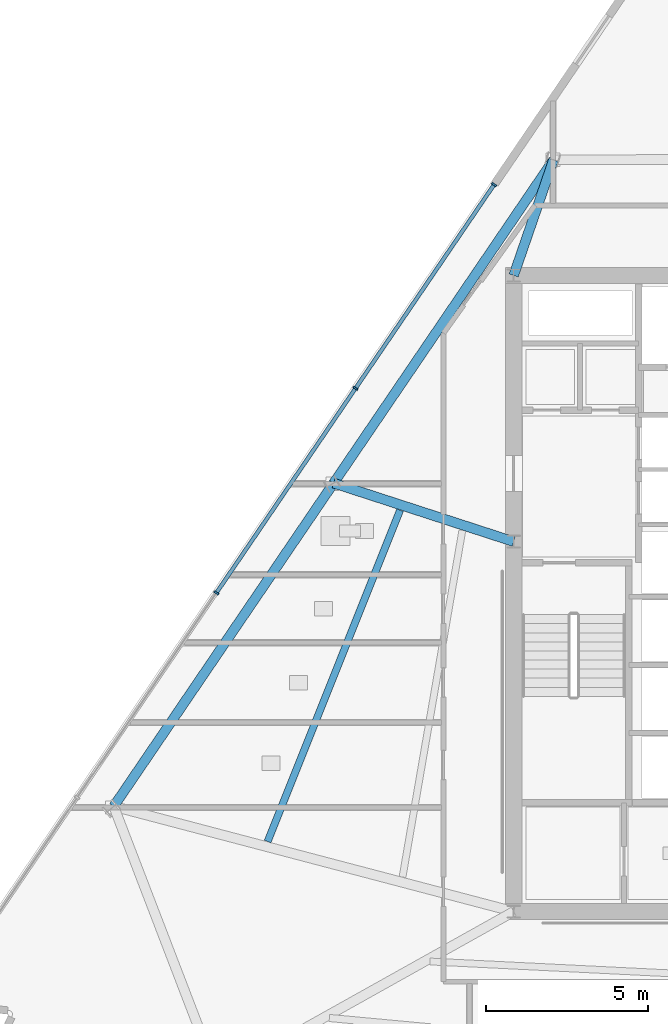
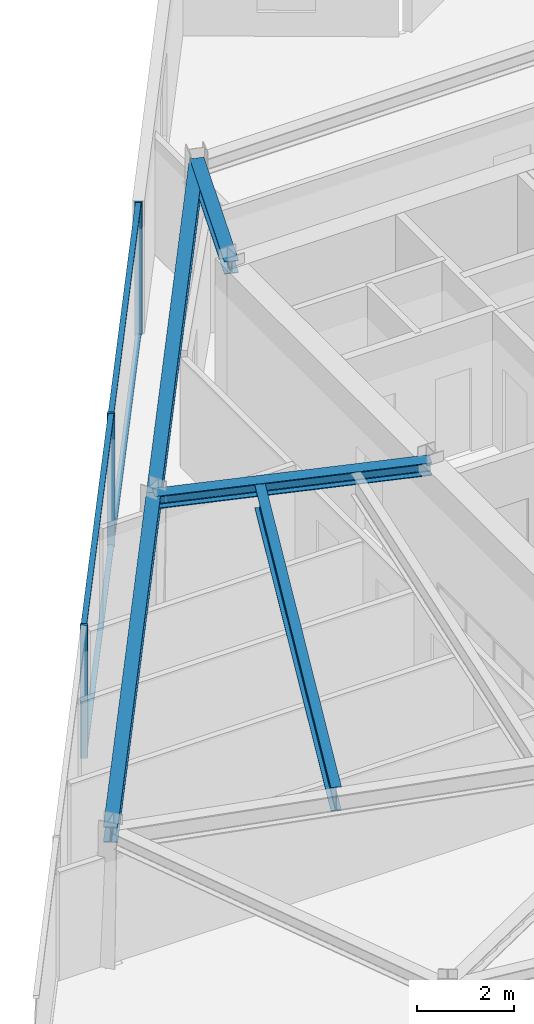
# One storey, part 4 of 15: 7 members, 5 beams, 1 element without a shape of its own.
"""IFC4 building model written with IfcOpenShell, lengths in metres."""

from ifc_helpers import new_model, si_unit, direction, frame, origin, origin_2d, place, context, subcontext, project, spatial, rectangle, i_section, extrude, material, material_profile, profile_set, type_object, element, aggregate, save


model = new_model("IFC4")

# Units and contexts
model_context = context("Model", 3, precision=1e-05, world=origin(), true_north=direction((0.0, 1.0)))
body_context = subcontext(model_context, "Body", "Model", "MODEL_VIEW")
ifc_project = project(units=[si_unit("LENGTHUNIT", "METRE"), si_unit("AREAUNIT", "SQUARE_METRE"), si_unit("VOLUMEUNIT", "CUBIC_METRE"), si_unit("PLANEANGLEUNIT", "RADIAN"), si_unit("MASSUNIT", "GRAM", prefix="KILO")], contexts=[model_context])

# Site, building, storey
site_placement = place(None, origin())
site = spatial("IfcSite", under=ifc_project, at=site_placement, CompositionType="ELEMENT")
building_placement = place(site_placement, origin())
building = spatial("IfcBuilding", under=site, at=building_placement, Name="Savorim Split Tower", CompositionType="ELEMENT")
storey_placement = place(building_placement, frame((0.0, 0.0, 201.89990234375)))
storey = spatial("IfcBuildingStorey", under=building, at=storey_placement, Name="L53", CompositionType="ELEMENT", Elevation=201.89990234375)

# Beams
ifc_material_1 = material(Name="Steel S355", Category="steel")
ifc_material_profile_1 = material_profile(ifc_material_1, i_section(OverallWidth=0.219970703125, OverallDepth=0.60009765625, WebThickness=0.011962890625, FlangeThickness=0.01904296875, FilletRadius=0.02392578125, at=origin_2d()), Name="IPE 600")
ifc_profile_set_1 = profile_set([ifc_material_profile_1], Name="Steel S355")
beam_type_1 = type_object("IfcBeamType", Name="BM-JST-IPE600", PredefinedType="JOIST", material=ifc_profile_set_1)
beam_1_placement = place(storey_placement, frame((-11.198486328125, 2.96875, 3.050048828125), z_axis=(-0.371229892289, -0.928540988363, 0.0), x_axis=(0.928540988363, -0.371229892289, 0.0)))
element("IfcBeam", 1, at=beam_1_placement, inside=storey, type_object=beam_type_1, Name="L53 Secondary Floor Joist JS-10", PredefinedType="JOIST", context=body_context, shape_type="SweptSolid", body=[
    extrude(i_section(OverallWidth=0.219970703125, OverallDepth=0.60009765625, WebThickness=0.011962890625, FlangeThickness=0.01904296875, FilletRadius=0.02392578125, at=origin_2d()), origin(), (0.0, 0.0, 1.0), 10.995849609375),
])
ifc_material_profile_2 = material_profile(ifc_material_1, i_section(OverallWidth=0.300048828125, OverallDepth=0.320068359375, WebThickness=0.011474609375, FlangeThickness=0.0205078125, FilletRadius=0.027099609375, at=origin_2d()), Name="HEB 320")
ifc_profile_set_2 = profile_set([ifc_material_profile_2], Name="Steel S355")
beam_type_2 = type_object("IfcBeamType", Name="BM-PRI-HEB320", PredefinedType="BEAM", material=ifc_profile_set_2)
beam_2_placement = place(storey_placement, frame((-6.47119140625, 13.76220703125, 3.190185546875), z_axis=(-0.326084526358, -0.945340616746, 0.0), x_axis=(0.945340616746, -0.326084526358, 0.0)))
element("IfcBeam", 2, at=beam_2_placement, inside=storey, type_object=beam_type_2, Name="L53 Primary Floor Girder RG-08", PredefinedType="BEAM", context=body_context, shape_type="SweptSolid", body=[
    extrude(i_section(OverallWidth=0.300048828125, OverallDepth=0.320068359375, WebThickness=0.011474609375, FlangeThickness=0.0205078125, FilletRadius=0.027099609375, at=origin_2d()), origin(), (0.0, 0.0, 1.0), 3.768310546875),
])
beam_3_placement = place(storey_placement, frame((-13.246826171875, 3.802001953125, 3.190185546875), z_axis=(0.95107097682, -0.308972485912, 0.0), x_axis=(0.308972485912, 0.95107097682, 0.0)))
element("IfcBeam", 3, at=beam_3_placement, inside=storey, type_object=beam_type_2, Name="L53 Primary Floor Girder RG-09", PredefinedType="BEAM", context=body_context, shape_type="SweptSolid", body=[
    extrude(i_section(OverallWidth=0.300048828125, OverallDepth=0.320068359375, WebThickness=0.011474609375, FlangeThickness=0.0205078125, FilletRadius=0.027099609375, at=origin_2d()), origin(), (0.0, 0.0, 1.0), 5.832275390625),
])
ifc_material_profile_3 = material_profile(ifc_material_1, i_section(OverallWidth=0.300048828125, OverallDepth=0.389892578125, WebThickness=0.010986328125, FlangeThickness=0.01904296875, FilletRadius=0.027099609375, at=origin_2d()), Name="HEA 400")
ifc_profile_set_3 = profile_set([ifc_material_profile_3], Name="Steel S355")
beam_type_3 = type_object("IfcBeamType", Name="BM-SPN-HEA400", PredefinedType="SPANDREL", material=ifc_profile_set_3)
for number, where, z_axis, x_axis, name in (
    (4, (-6.47119140625, 13.76220703125, 3.155029296875), (-0.562463010196, -0.826822448995, 0.0), (0.826822448995, -0.562463010196, 0.0), "L53 Perimeter Spandrel Beam 8"),
    (5, (-13.246826171875, 3.802001953125, 3.155029296875), (-0.562486290355, -0.826806611707, 0.0), (0.826806611707, -0.562486290355, 0.0), "L53 Perimeter Spandrel Beam 9"),
):
    element("IfcBeam", number, at=place(storey_placement, frame(where, z_axis=z_axis, x_axis=x_axis)), inside=storey, type_object=beam_type_3, Name=name, PredefinedType="SPANDREL", context=body_context, shape_type="SweptSolid", body=[
        extrude(i_section(OverallWidth=0.300048828125, OverallDepth=0.389892578125, WebThickness=0.010986328125, FlangeThickness=0.01904296875, FilletRadius=0.027099609375, at=origin_2d()), origin(), (0.0, 0.0, 1.0), 12.04638671875),
    ])

# Curtain wall, members
ifc_material_2 = material(Name="Dark Ceramic-Fritted Insulated Glass", Category="glass")
curtain_wall_type = type_object("IfcCurtainWallType", Name="CW-TWR-FRIT-B", PredefinedType="NOTDEFINED", material=ifc_material_2)
curtain_wall_placement = place(storey_placement, origin())
curtain_wall = element("IfcCurtainWall", 6, at=curtain_wall_placement, inside=storey, type_object=curtain_wall_type, Name="L53 Curtain Wall CW-L53-WEST", PredefinedType="NOTDEFINED")
ifc_material_3 = material(Name="Charcoal Anodised Aluminium", Category="aluminium")
ifc_material_profile_4 = material_profile(ifc_material_3, rectangle(XDim=0.159912109375, YDim=0.06005859375, at=origin_2d()), Name="ALU-M 160x60")
ifc_profile_set_4 = profile_set([ifc_material_profile_4], Name="Charcoal Anodised Aluminium")
member_type_1 = type_object("IfcMemberType", Name="CWM-160x60", PredefinedType="MULLION", material=ifc_profile_set_4)
member_1_placement = place(storey_placement, frame((-8.30078125, 13.0009765625, 0.0), z_axis=(0.0, 0.0, 1.0), x_axis=(0.826820907104, -0.562465276773, 0.0)))
member_1 = element("IfcMember", 7, at=member_1_placement, type_object=member_type_1, Name="CW-03 mullion 1", PredefinedType="MULLION", context=body_context, shape_type="SweptSolid", body=[
    extrude(rectangle(XDim=0.159912109375, YDim=0.06005859375, at=origin_2d()), origin(), (0.0, 0.0, 1.0), 3.35009765625),
])
member_2_placement = place(storey_placement, frame((-12.57177734375, 6.72265625, 0.0), z_axis=(0.0, 0.0, 1.0), x_axis=(0.826820907104, -0.562465276773, 0.0)))
member_2 = element("IfcMember", 8, at=member_2_placement, type_object=member_type_1, Name="CW-03 mullion 2", PredefinedType="MULLION", context=body_context, shape_type="SweptSolid", body=[
    extrude(rectangle(XDim=0.159912109375, YDim=0.06005859375, at=origin_2d()), origin(), (0.0, 0.0, 1.0), 3.35009765625),
])
member_3_placement = place(storey_placement, frame((-16.85986328125, 0.419189453125, 0.0), z_axis=(0.0, 0.0, 1.0), x_axis=(0.826820907104, -0.562465276773, 0.0)))
member_3 = element("IfcMember", 9, at=member_3_placement, type_object=member_type_1, Name="CW-03 mullion 3", PredefinedType="MULLION", context=body_context, shape_type="SweptSolid", body=[
    extrude(rectangle(XDim=0.159912109375, YDim=0.06005859375, at=origin_2d()), origin(), (0.0, 0.0, 1.0), 3.35009765625),
])
ifc_material_profile_5 = material_profile(ifc_material_3, rectangle(XDim=0.1201171875, YDim=0.050048828125, at=origin_2d()), Name="ALU-T 120x50")
ifc_profile_set_5 = profile_set([ifc_material_profile_5], Name="Charcoal Anodised Aluminium")
member_type_2 = type_object("IfcMemberType", Name="CWT-120x50", PredefinedType="USERDEFINED", material=ifc_profile_set_5)
member_4_placement = place(storey_placement, frame((-8.317626953125, 12.976318359375, 0.025146484375), z_axis=(-0.562453610104, -0.826828843523, 0.0), x_axis=(0.826828843523, -0.562453610104, 0.0)))
member_4 = element("IfcMember", 10, at=member_4_placement, type_object=member_type_2, Name="CW-03 transom 1.1", ObjectType="TRANSOM", PredefinedType="USERDEFINED", context=body_context, shape_type="SweptSolid", body=[
    extrude(rectangle(XDim=0.1201171875, YDim=0.050048828125, at=origin_2d()), origin(), (0.0, 0.0, 1.0), 7.53369140625),
])
member_5_placement = place(storey_placement, frame((-8.317626953125, 12.976318359375, 3.3251953125), z_axis=(-0.562453610104, -0.826828843523, 0.0), x_axis=(0.826828843523, -0.562453610104, 0.0)))
member_5 = element("IfcMember", 11, at=member_5_placement, type_object=member_type_2, Name="CW-03 transom 1.2", ObjectType="TRANSOM", PredefinedType="USERDEFINED", context=body_context, shape_type="SweptSolid", body=[
    extrude(rectangle(XDim=0.1201171875, YDim=0.050048828125, at=origin_2d()), origin(), (0.0, 0.0, 1.0), 7.53369140625),
])
member_6_placement = place(storey_placement, frame((-12.588623046875, 6.69775390625, 0.025146484375), z_axis=(-0.562460105571, -0.826824424918, 0.0), x_axis=(0.826824424918, -0.562460105571, 0.0)))
member_6 = element("IfcMember", 12, at=member_6_placement, type_object=member_type_2, Name="CW-03 transom 2.1", ObjectType="TRANSOM", PredefinedType="USERDEFINED", context=body_context, shape_type="SweptSolid", body=[
    extrude(rectangle(XDim=0.1201171875, YDim=0.050048828125, at=origin_2d()), origin(), (0.0, 0.0, 1.0), 7.5634765625),
])
member_7_placement = place(storey_placement, frame((-12.588623046875, 6.69775390625, 3.3251953125), z_axis=(-0.562460105571, -0.826824424918, 0.0), x_axis=(0.826824424918, -0.562460105571, 0.0)))
member_7 = element("IfcMember", 13, at=member_7_placement, type_object=member_type_2, Name="CW-03 transom 2.2", ObjectType="TRANSOM", PredefinedType="USERDEFINED", context=body_context, shape_type="SweptSolid", body=[
    extrude(rectangle(XDim=0.1201171875, YDim=0.050048828125, at=origin_2d()), origin(), (0.0, 0.0, 1.0), 7.5634765625),
])
aggregate(curtain_wall, [member_1, member_2, member_3, member_4, member_5, member_6, member_7])

save(model, "model.ifc")
